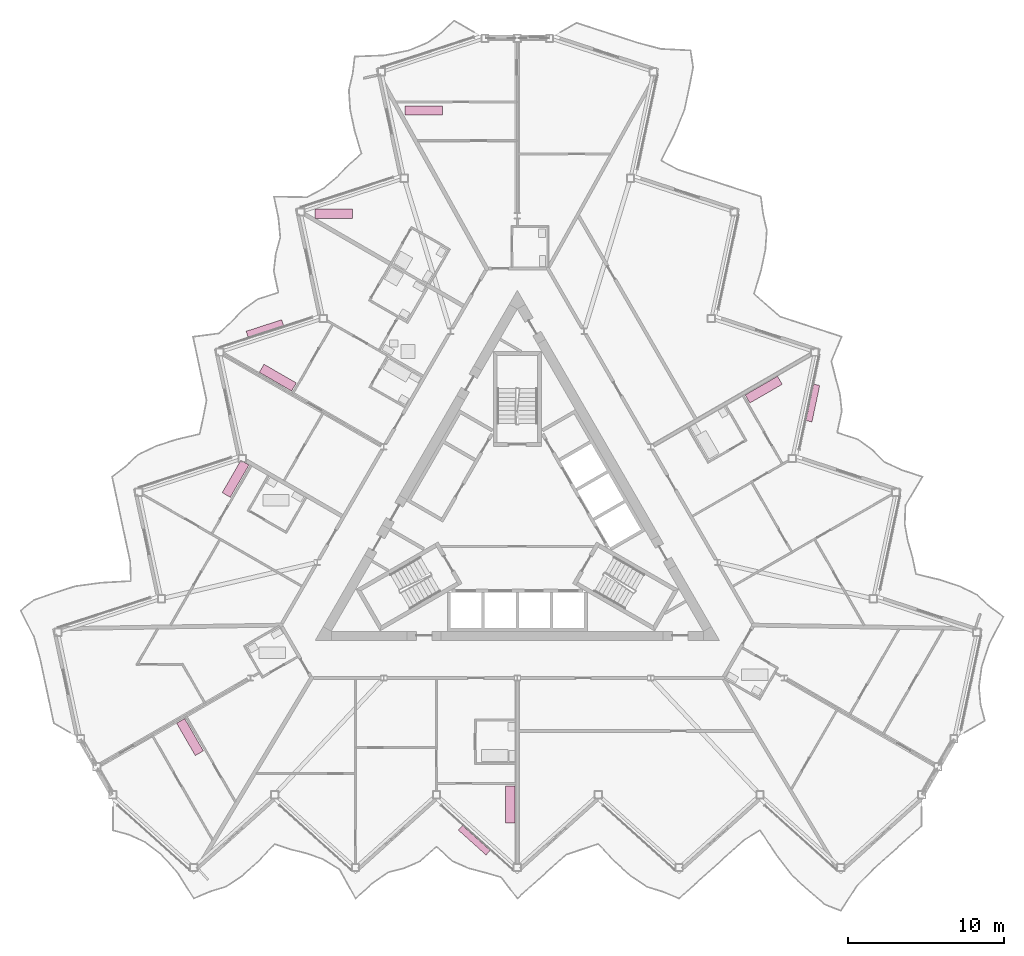
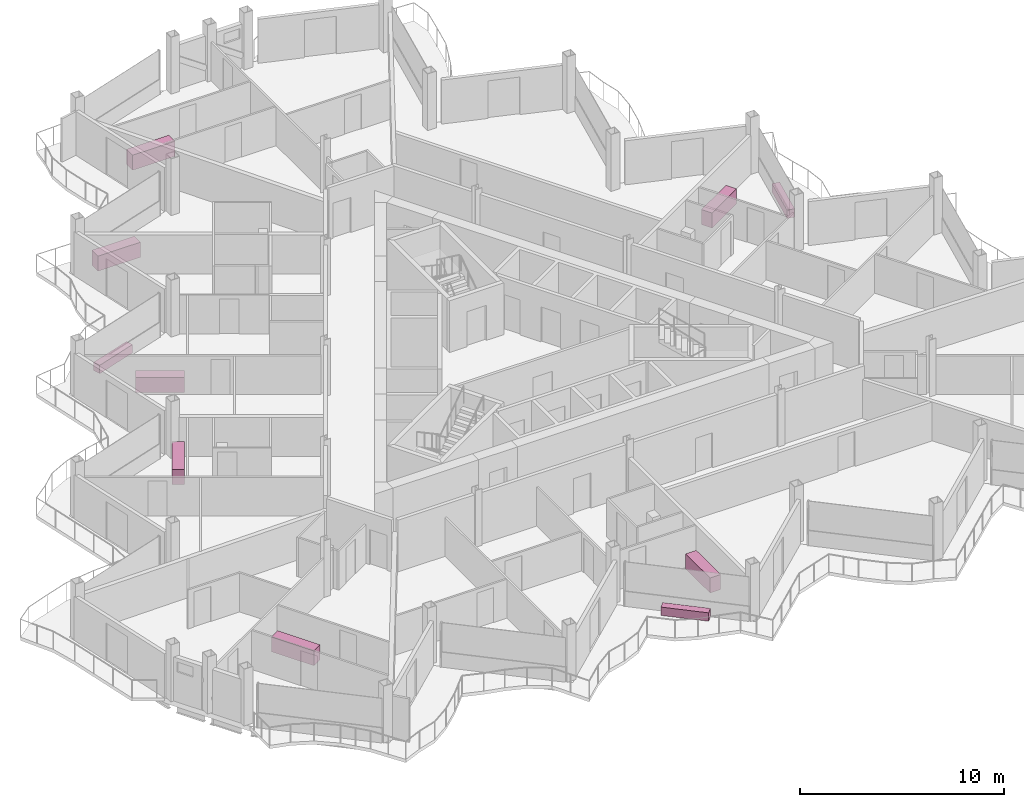
# One storey, part 26 of 26: 10 furniture elements.
"""IFC4 building model written with IfcOpenShell, lengths in metres."""

from ifc_helpers import new_model, si_unit, direction, frame, origin, origin_2d, place, context, subcontext, project, spatial, rectangle, extrude, material, type_object, element, save


model = new_model("IFC4")

# Units and contexts
model_context = context("Model", 3, precision=1e-05, world=origin(), true_north=direction((0.0, 1.0)))
body_context = subcontext(model_context, "Body", "Model", "MODEL_VIEW")
ifc_project = project(units=[si_unit("LENGTHUNIT", "METRE"), si_unit("AREAUNIT", "SQUARE_METRE"), si_unit("VOLUMEUNIT", "CUBIC_METRE"), si_unit("PLANEANGLEUNIT", "RADIAN"), si_unit("MASSUNIT", "GRAM", prefix="KILO")], contexts=[model_context])

# Site, building, storey
site_placement = place(None, origin())
site = spatial("IfcSite", under=ifc_project, at=site_placement, CompositionType="ELEMENT")
building_placement = place(site_placement, origin())
building = spatial("IfcBuilding", under=site, at=building_placement, Name="Cormorant Prow Tower", CompositionType="ELEMENT")
storey_placement = place(building_placement, frame((0.0, 0.0, 388.199951171875)))
storey = spatial("IfcBuildingStorey", under=building, at=storey_placement, Name="L88", CompositionType="ELEMENT", Elevation=388.199951171875)

# Furniture
ifc_material_1 = material(Name="Terracotta", Category="masonry")
furniture_type_1 = type_object("IfcFurnitureType", Name="Balcony planter 2400x400x500", AssemblyPlace="NOTDEFINED", PredefinedType="USERDEFINED", material=ifc_material_1)
for number, where, z_axis, x_axis, name in (
    (1, (-2.767333984375, -20.33642578125, 0.0), (0.0, 0.0, 1.0), (0.743144827638, -0.669130603959, 0.0), "Balcony planter S04"),
    (2, (18.99560546875, 7.771728515625, 0.0), (0.0, 0.0, 1.0), (0.207911756835, 0.978147586701, 0.0), "Balcony planter ENE04"),
    (3, (-16.228271484375, 12.564697265625, 0.0), (0.0, 0.0, 1.0), (-0.951056548553, -0.309016895096, 0.0), "Balcony planter WNW04"),
):
    element("IfcFurniture", number, at=place(storey_placement, frame(where, z_axis=z_axis, x_axis=x_axis)), inside=storey, type_object=furniture_type_1, Name=name, ObjectType="PLANTER", PredefinedType="USERDEFINED", context=body_context, shape_type="SweptSolid", body=[
        extrude(rectangle(XDim=2.39990234375, YDim=0.39990234375, at=origin_2d()), origin(), (0.0, 0.0, 1.0), 0.5),
    ])
ifc_material_2 = material(Name="Timber joinery", Category="wood")
furniture_type_2 = type_object("IfcFurnitureType", Name="Kitchen counter 2400x600", AssemblyPlace="NOTDEFINED", PredefinedType="NOTDEFINED", material=ifc_material_2)
for number, where, z_axis, x_axis, name in (
    (4, (-0.445068359375, -18.0341796875, 0.0), (0.0, 0.0, 1.0), (0.0, -1.0, 0.0), "Kitchen counter"),
    (5, (15.840576171875, 8.631591796875, 0.0), (0.0, 0.0, 1.0), (0.866025403784, 0.5, 0.0), "Kitchen counter"),
    (6, (-6.0068359375, 26.57421875, 0.0), (0.0, 0.0, 1.0), (1.0, 0.0, 0.0), "Kitchen counter"),
    (7, (-11.796142578125, 19.939208984375, 0.0), (0.0, 0.0, 1.0), (1.0, 0.0, 0.0), "Kitchen counter"),
    (8, (-15.3955078125, 9.402587890625, 0.0), (0.0, 0.0, 1.0), (-0.866025403784, 0.5, 0.0), "Kitchen counter"),
    (9, (-18.111083984375, 2.89892578125, 0.0), (0.0, 0.0, 1.0), (-0.5, -0.866025403784, 0.0), "Kitchen counter"),
    (10, (-21.0419921875, -13.701904296875, 0.0), (0.0, 0.0, 1.0), (0.5, -0.866025403784, 0.0), "Kitchen counter"),
):
    element("IfcFurniture", number, at=place(storey_placement, frame(where, z_axis=z_axis, x_axis=x_axis)), inside=storey, type_object=furniture_type_2, Name=name, PredefinedType="NOTDEFINED", context=body_context, shape_type="SweptSolid", body=[
        extrude(rectangle(XDim=2.39990234375, YDim=0.60009765625, at=origin_2d()), origin(), (0.0, 0.0, 1.0), 0.89990234375),
    ])

save(model, "model.ifc")
